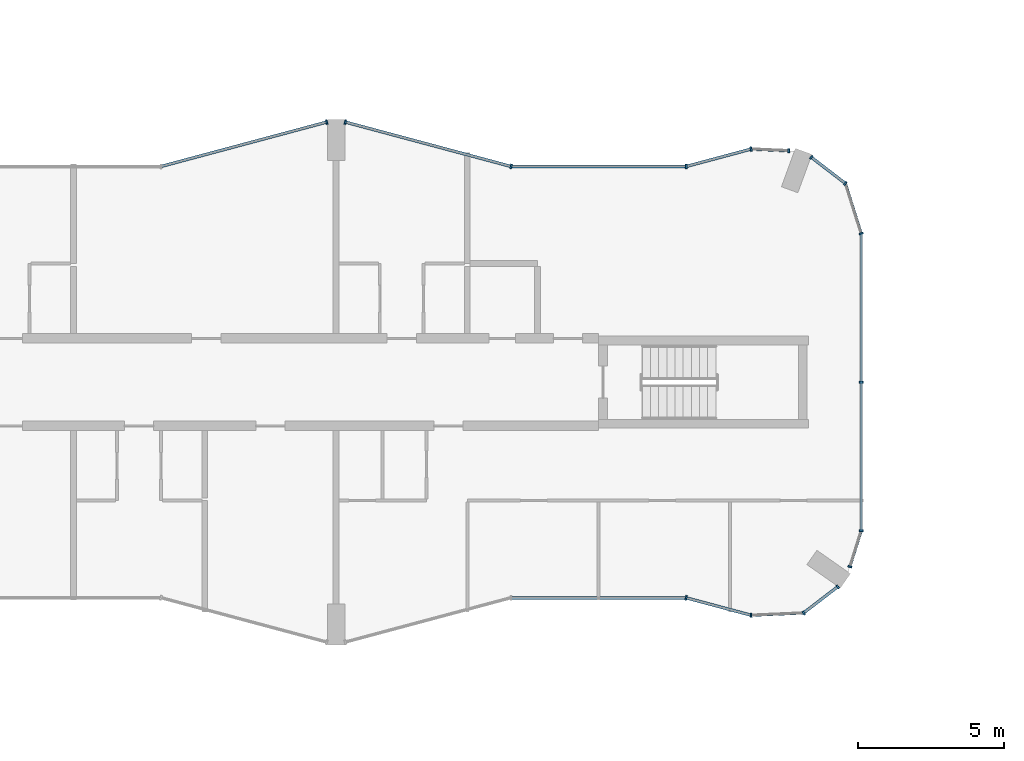
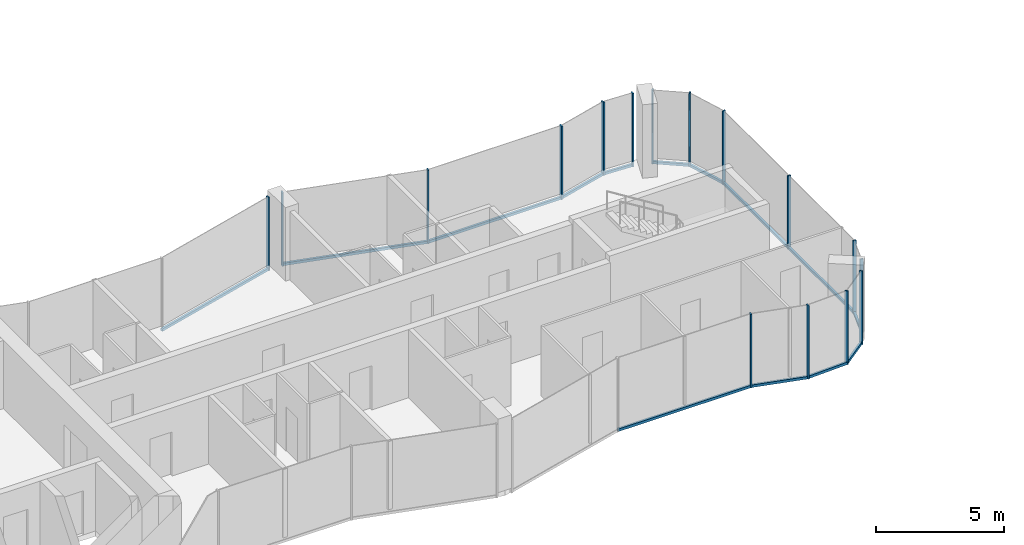
# One storey, part 5 of 22: 29 members, 13 elements without a shape of their own.
"""IFC4 building model written with IfcOpenShell, lengths in metres."""

from ifc_helpers import new_model, si_unit, direction, frame, origin, origin_2d, place, context, subcontext, project, spatial, rectangle, extrude, material, layer, layer_set, material_profile, profile_set, type_object, element, aggregate, save


model = new_model("IFC4")

# Units and contexts
model_context = context("Model", 3, precision=1e-05, world=origin(), true_north=direction((0.0, 1.0)))
body_context = subcontext(model_context, "Body", "Model", "MODEL_VIEW")
ifc_project = project(units=[si_unit("LENGTHUNIT", "METRE"), si_unit("AREAUNIT", "SQUARE_METRE"), si_unit("VOLUMEUNIT", "CUBIC_METRE"), si_unit("PLANEANGLEUNIT", "RADIAN"), si_unit("MASSUNIT", "GRAM", prefix="KILO")], contexts=[model_context])

# Site, building, storey
site_placement = place(None, origin())
site = spatial("IfcSite", under=ifc_project, at=site_placement, CompositionType="ELEMENT")
building_placement = place(site_placement, origin())
building = spatial("IfcBuilding", under=site, at=building_placement, Name="Plateau Cross Towers", CompositionType="ELEMENT")
storey_placement = place(building_placement, frame((0.0, 0.0, 116.800048828125)))
storey = spatial("IfcBuildingStorey", under=building, at=storey_placement, Name="L30", CompositionType="ELEMENT", Elevation=116.800048828125)

# Curtain wall, member
ifc_material_1 = material(Name="Dark low-iron glass", Category="glass")
ifc_layer_1 = layer(ifc_material_1, 0.239990234375)
ifc_layer_set_1 = layer_set([ifc_layer_1], Name="Dark low-iron glass")
curtain_wall_type_1 = type_object("IfcCurtainWallType", Name="Curtain wall flush unitised CW-B", PredefinedType="NOTDEFINED", material=ifc_layer_set_1)
curtain_wall_1_placement = place(storey_placement, origin())
curtain_wall_1 = element("IfcCurtainWall", 1, at=curtain_wall_1_placement, inside=storey, type_object=curtain_wall_type_1, Name="ENV/A/L30/A502_10", PredefinedType="NOTDEFINED")
ifc_material_2 = material(Name="Black anodised aluminium", Category="aluminium")
ifc_material_profile_1 = material_profile(ifc_material_2, rectangle(XDim=0.06005859375, YDim=0.139892578125, at=origin_2d()), Name="MULLION 60x140")
ifc_profile_set_1 = profile_set([ifc_material_profile_1], Name="Black anodised aluminium")
member_type_1 = type_object("IfcMemberType", Name="Mullion 60x140 flush unitised", PredefinedType="MULLION", material=ifc_profile_set_1)
member_1_placement = place(storey_placement, frame((50.223876953125, 1.01123046875, -0.25), z_axis=(0.0, 0.0, 1.0), x_axis=(0.999043701491, 0.043722791671, 0.0)))
member_1 = element("IfcMember", 2, at=member_1_placement, type_object=member_type_1, Name="CW-B mullion 1", PredefinedType="MULLION", context=body_context, shape_type="SweptSolid", body=[
    extrude(rectangle(XDim=0.06005859375, YDim=0.139892578125, at=origin_2d()), origin(), (0.0, 0.0, 1.0), 3.5),
])

# Curtain wall, members
curtain_wall_2_placement = place(storey_placement, origin())
curtain_wall_2 = element("IfcCurtainWall", 3, at=curtain_wall_2_placement, inside=storey, type_object=curtain_wall_type_1, Name="ENV/A/L30/A520_11", PredefinedType="NOTDEFINED")
member_2_placement = place(storey_placement, frame((52.0263671875, 1.090087890625, -0.25), z_axis=(0.0, 0.0, 1.0), x_axis=(0.793315514529, 0.608810721331, 0.0)))
member_2 = element("IfcMember", 4, at=member_2_placement, type_object=member_type_1, Name="CW-B mullion 1", PredefinedType="MULLION", context=body_context, shape_type="SweptSolid", body=[
    extrude(rectangle(XDim=0.06005859375, YDim=0.139892578125, at=origin_2d()), origin(), (0.0, 0.0, 1.0), 3.5),
])
member_3_placement = place(storey_placement, frame((53.193603515625, 1.986083984375, -0.25), z_axis=(0.0, 0.0, 1.0), x_axis=(0.793315514529, 0.608810721331, 0.0)))
member_3 = element("IfcMember", 5, at=member_3_placement, type_object=member_type_1, Name="CW-B mullion 2", PredefinedType="MULLION", context=body_context, shape_type="SweptSolid", body=[
    extrude(rectangle(XDim=0.06005859375, YDim=0.139892578125, at=origin_2d()), origin(), (0.0, 0.0, 1.0), 3.5),
])

# Curtain wall, member
curtain_wall_3_placement = place(storey_placement, origin())
curtain_wall_3 = element("IfcCurtainWall", 6, at=curtain_wall_3_placement, inside=storey, type_object=curtain_wall_type_1, Name="ENV/A/L30/A536_27", PredefinedType="NOTDEFINED")
member_4_placement = place(storey_placement, frame((53.611083984375, 2.67529296875, -0.25), z_axis=(0.0, 0.0, 1.0), x_axis=(0.300686174994, 0.95372313811, 0.0)))
member_4 = element("IfcMember", 7, at=member_4_placement, type_object=member_type_1, Name="CW-B mullion 1", PredefinedType="MULLION", context=body_context, shape_type="SweptSolid", body=[
    extrude(rectangle(XDim=0.06005859375, YDim=0.139892578125, at=origin_2d()), origin(), (0.0, 0.0, 1.0), 3.5),
])

# Curtain wall, members
curtain_wall_4_placement = place(storey_placement, origin())
curtain_wall_4 = element("IfcCurtainWall", 8, at=curtain_wall_4_placement, inside=storey, type_object=curtain_wall_type_1, Name="ENV/A/L30/A540_39", PredefinedType="NOTDEFINED")
member_5_placement = place(storey_placement, frame((54.0, 3.9091796875, -0.25), z_axis=(0.0, 0.0, 1.0), x_axis=(0.0, 1.0, 0.0)))
member_5 = element("IfcMember", 9, at=member_5_placement, type_object=member_type_1, Name="CW-B mullion 1", PredefinedType="MULLION", context=body_context, shape_type="SweptSolid", body=[
    extrude(rectangle(XDim=0.06005859375, YDim=0.139892578125, at=origin_2d()), origin(), (0.0, 0.0, 1.0), 3.5),
])
member_6_placement = place(storey_placement, frame((54.0, 9.0, -0.25), z_axis=(0.0, 0.0, 1.0), x_axis=(0.0, 1.0, 0.0)))
member_6 = element("IfcMember", 10, at=member_6_placement, type_object=member_type_1, Name="CW-B mullion 2", PredefinedType="MULLION", context=body_context, shape_type="SweptSolid", body=[
    extrude(rectangle(XDim=0.06005859375, YDim=0.139892578125, at=origin_2d()), origin(), (0.0, 0.0, 1.0), 3.5),
])

# Curtain wall, member
curtain_wall_5_placement = place(storey_placement, origin())
curtain_wall_5 = element("IfcCurtainWall", 11, at=curtain_wall_5_placement, inside=storey, type_object=curtain_wall_type_1, Name="ENV/A/L30/A540_141", PredefinedType="NOTDEFINED")
member_7_placement = place(storey_placement, frame((54.0, 14.0908203125, -0.25), z_axis=(0.0, 0.0, 1.0), x_axis=(-0.300686174994, 0.95372313811, 0.0)))
member_7 = element("IfcMember", 12, at=member_7_placement, type_object=member_type_1, Name="CW-B mullion 1", PredefinedType="MULLION", context=body_context, shape_type="SweptSolid", body=[
    extrude(rectangle(XDim=0.06005859375, YDim=0.139892578125, at=origin_2d()), origin(), (0.0, 0.0, 1.0), 3.5),
])

# Curtain wall, members
curtain_wall_6_placement = place(storey_placement, origin())
curtain_wall_6 = element("IfcCurtainWall", 13, at=curtain_wall_6_placement, inside=storey, type_object=curtain_wall_type_1, Name="ENV/A/L30/A535_158", PredefinedType="NOTDEFINED")
member_8_placement = place(storey_placement, frame((53.45751953125, 15.8115234375, -0.25), z_axis=(0.0, 0.0, 1.0), x_axis=(-0.793315514529, 0.608810721331, 0.0)))
member_8 = element("IfcMember", 14, at=member_8_placement, type_object=member_type_1, Name="CW-B mullion 1", PredefinedType="MULLION", context=body_context, shape_type="SweptSolid", body=[
    extrude(rectangle(XDim=0.06005859375, YDim=0.139892578125, at=origin_2d()), origin(), (0.0, 0.0, 1.0), 3.5),
])
member_9_placement = place(storey_placement, frame((52.290283203125, 16.707275390625, -0.25), z_axis=(0.0, 0.0, 1.0), x_axis=(-0.793315514529, 0.608810721331, 0.0)))
member_9 = element("IfcMember", 15, at=member_9_placement, type_object=member_type_1, Name="CW-B mullion 2", PredefinedType="MULLION", context=body_context, shape_type="SweptSolid", body=[
    extrude(rectangle(XDim=0.06005859375, YDim=0.139892578125, at=origin_2d()), origin(), (0.0, 0.0, 1.0), 3.5),
])

# Curtain wall, member
curtain_wall_7_placement = place(storey_placement, origin())
curtain_wall_7 = element("IfcCurtainWall", 16, at=curtain_wall_7_placement, inside=storey, type_object=curtain_wall_type_1, Name="ENV/A/L30/A515_169", PredefinedType="NOTDEFINED")
member_10_placement = place(storey_placement, frame((51.516357421875, 16.93212890625, -0.25), z_axis=(0.0, 0.0, 1.0), x_axis=(-0.999043701491, 0.043722791671, 0.0)))
member_10 = element("IfcMember", 17, at=member_10_placement, type_object=member_type_1, Name="CW-B mullion 1", PredefinedType="MULLION", context=body_context, shape_type="SweptSolid", body=[
    extrude(rectangle(XDim=0.06005859375, YDim=0.139892578125, at=origin_2d()), origin(), (0.0, 0.0, 1.0), 3.5),
])

ifc_layer_2 = layer(ifc_material_1, 0.260009765625)
ifc_layer_set_2 = layer_set([ifc_layer_2], Name="Dark low-iron glass")
curtain_wall_type_2 = type_object("IfcCurtainWallType", Name="Curtain wall fluted unitised CW-A", PredefinedType="NOTDEFINED", material=ifc_layer_set_2)
curtain_wall_8_placement = place(storey_placement, origin())
curtain_wall_8 = element("IfcCurtainWall", 18, at=curtain_wall_8_placement, inside=storey, type_object=curtain_wall_type_2, Name="ENV/A/L30/A480_16", PredefinedType="NOTDEFINED")
ifc_material_profile_2 = material_profile(ifc_material_2, rectangle(XDim=0.06005859375, YDim=0.159912109375, at=origin_2d()), Name="MULLION 60x160")
ifc_profile_set_2 = profile_set([ifc_material_profile_2], Name="Black anodised aluminium")
member_type_2 = type_object("IfcMemberType", Name="Mullion 60x160 fluted unitised", PredefinedType="MULLION", material=ifc_profile_set_2)
member_11_placement = place(storey_placement, frame((48.0, 1.60693359375, -0.25), z_axis=(0.0, 0.0, 1.0), x_axis=(0.965957962328, -0.258699081978, 0.0)))
member_11 = element("IfcMember", 19, at=member_11_placement, type_object=member_type_2, Name="CW-A mullion 1", PredefinedType="MULLION", context=body_context, shape_type="SweptSolid", body=[
    extrude(rectangle(XDim=0.06005859375, YDim=0.159912109375, at=origin_2d()), origin(), (0.0, 0.0, 1.0), 3.5),
])

curtain_wall_9_placement = place(storey_placement, origin())
curtain_wall_9 = element("IfcCurtainWall", 20, at=curtain_wall_9_placement, inside=storey, type_object=curtain_wall_type_2, Name="ENV/A/L30/A502_170", PredefinedType="NOTDEFINED")
member_12_placement = place(storey_placement, frame((50.223876953125, 16.98876953125, -0.25), z_axis=(0.0, 0.0, 1.0), x_axis=(-0.965957962328, -0.258699081978, 0.0)))
member_12 = element("IfcMember", 21, at=member_12_placement, type_object=member_type_2, Name="CW-A mullion 1", PredefinedType="MULLION", context=body_context, shape_type="SweptSolid", body=[
    extrude(rectangle(XDim=0.06005859375, YDim=0.159912109375, at=origin_2d()), origin(), (0.0, 0.0, 1.0), 3.5),
])

curtain_wall_10_placement = place(storey_placement, origin())
curtain_wall_10 = element("IfcCurtainWall", 22, at=curtain_wall_10_placement, inside=storey, type_object=curtain_wall_type_2, Name="ENV/A/L30/A480_164", PredefinedType="NOTDEFINED")
member_13_placement = place(storey_placement, frame((48.0, 16.39306640625, -0.25), z_axis=(0.0, 0.0, 1.0), x_axis=(-1.0, 0.0, 0.0)))
member_13 = element("IfcMember", 23, at=member_13_placement, type_object=member_type_2, Name="CW-A mullion 1", PredefinedType="MULLION", context=body_context, shape_type="SweptSolid", body=[
    extrude(rectangle(XDim=0.06005859375, YDim=0.159912109375, at=origin_2d()), origin(), (0.0, 0.0, 1.0), 3.5),
])

# Curtain wall, members
curtain_wall_11_placement = place(storey_placement, origin())
curtain_wall_11 = element("IfcCurtainWall", 24, at=curtain_wall_11_placement, inside=storey, type_object=curtain_wall_type_2, Name="ENV/A/L30/A420_164", PredefinedType="NOTDEFINED")
member_14_placement = place(storey_placement, frame((42.0, 16.39306640625, -0.25), z_axis=(0.0, 0.0, 1.0), x_axis=(-0.965957983404, 0.258699003279, 0.0)))
member_14 = element("IfcMember", 25, at=member_14_placement, type_object=member_type_2, Name="CW-A mullion 1", PredefinedType="MULLION", context=body_context, shape_type="SweptSolid", body=[
    extrude(rectangle(XDim=0.06005859375, YDim=0.159912109375, at=origin_2d()), origin(), (0.0, 0.0, 1.0), 3.5),
])
member_15_placement = place(storey_placement, frame((36.31787109375, 17.914794921875, -0.25), z_axis=(0.0, 0.0, 1.0), x_axis=(-0.965957983404, 0.258699003279, 0.0)))
member_15 = element("IfcMember", 26, at=member_15_placement, type_object=member_type_2, Name="CW-A mullion 2", PredefinedType="MULLION", context=body_context, shape_type="SweptSolid", body=[
    extrude(rectangle(XDim=0.06005859375, YDim=0.159912109375, at=origin_2d()), origin(), (0.0, 0.0, 1.0), 3.5),
])

# Curtain wall, member
curtain_wall_12_placement = place(storey_placement, origin())
curtain_wall_12 = element("IfcCurtainWall", 27, at=curtain_wall_12_placement, inside=storey, type_object=curtain_wall_type_2, Name="ENV/A/L30/A357_179", PredefinedType="NOTDEFINED")
member_16_placement = place(storey_placement, frame((35.68212890625, 17.914794921875, -0.25), z_axis=(0.0, 0.0, 1.0), x_axis=(-0.965957983404, -0.258699003279, 0.0)))
member_16 = element("IfcMember", 28, at=member_16_placement, type_object=member_type_2, Name="CW-A mullion 1", PredefinedType="MULLION", context=body_context, shape_type="SweptSolid", body=[
    extrude(rectangle(XDim=0.06005859375, YDim=0.159912109375, at=origin_2d()), origin(), (0.0, 0.0, 1.0), 3.5),
])

# Member
ifc_material_profile_3 = material_profile(ifc_material_2, rectangle(XDim=0.10009765625, YDim=0.1201171875, at=origin_2d()), Name="TRANSOM 100x120")
ifc_profile_set_3 = profile_set([ifc_material_profile_3], Name="Black anodised aluminium")
member_type_3 = type_object("IfcMemberType", Name="Transom 100x120 flush unitised", PredefinedType="USERDEFINED", material=ifc_profile_set_3)
member_17_placement = place(storey_placement, frame((50.223876953125, 1.01123046875, -0.18994140625), z_axis=(0.999044377355, 0.043707345779, 0.0), x_axis=(-0.043707345779, 0.999044377355, 0.0)))
member_17 = element("IfcMember", 29, at=member_17_placement, type_object=member_type_3, Name="CW-B transom", ObjectType="TRANSOM", PredefinedType="USERDEFINED", context=body_context, shape_type="SweptSolid", body=[
    extrude(rectangle(XDim=0.10009765625, YDim=0.1201171875, at=origin_2d()), origin(), (0.0, 0.0, 1.0), 1.80419921875),
])

aggregate(curtain_wall_1, [member_1, member_17])

member_18_placement = place(storey_placement, frame((52.0263671875, 1.090087890625, -0.18994140625), z_axis=(0.793240368515, 0.608908628415, 0.0), x_axis=(-0.608908628415, 0.793240368515, 0.0)))
member_18 = element("IfcMember", 30, at=member_18_placement, type_object=member_type_3, Name="CW-B transom", ObjectType="TRANSOM", PredefinedType="USERDEFINED", context=body_context, shape_type="SweptSolid", body=[
    extrude(rectangle(XDim=0.10009765625, YDim=0.1201171875, at=origin_2d()), origin(), (0.0, 0.0, 1.0), 1.471435546875),
])

aggregate(curtain_wall_2, [member_2, member_3, member_18])

member_19_placement = place(storey_placement, frame((53.611083984375, 2.67529296875, -0.18994140625), z_axis=(0.300616528216, 0.953745093284, 0.0), x_axis=(-0.953745093284, 0.300616528216, 0.0)))
member_19 = element("IfcMember", 31, at=member_19_placement, type_object=member_type_3, Name="CW-B transom", ObjectType="TRANSOM", PredefinedType="USERDEFINED", context=body_context, shape_type="SweptSolid", body=[
    extrude(rectangle(XDim=0.10009765625, YDim=0.1201171875, at=origin_2d()), origin(), (0.0, 0.0, 1.0), 1.293701171875),
])

aggregate(curtain_wall_3, [member_4, member_19])

member_20_placement = place(storey_placement, frame((54.0, 3.9091796875, -0.18994140625), z_axis=(0.0, 1.0, 0.0), x_axis=(-1.0, 0.0, 0.0)))
member_20 = element("IfcMember", 32, at=member_20_placement, type_object=member_type_3, Name="CW-B transom", ObjectType="TRANSOM", PredefinedType="USERDEFINED", context=body_context, shape_type="SweptSolid", body=[
    extrude(rectangle(XDim=0.10009765625, YDim=0.1201171875, at=origin_2d()), origin(), (0.0, 0.0, 1.0), 10.181640625),
])

aggregate(curtain_wall_4, [member_5, member_6, member_20])

member_21_placement = place(storey_placement, frame((54.0, 14.0908203125, -0.18994140625), z_axis=(-0.30067799945, 0.953725715626, 0.0), x_axis=(-0.953725715626, -0.30067799945, 0.0)))
member_21 = element("IfcMember", 33, at=member_21_placement, type_object=member_type_3, Name="CW-B transom", ObjectType="TRANSOM", PredefinedType="USERDEFINED", context=body_context, shape_type="SweptSolid", body=[
    extrude(rectangle(XDim=0.10009765625, YDim=0.1201171875, at=origin_2d()), origin(), (0.0, 0.0, 1.0), 1.80419921875),
])

aggregate(curtain_wall_5, [member_7, member_21])

member_22_placement = place(storey_placement, frame((53.45751953125, 15.8115234375, -0.18994140625), z_axis=(-0.793320508571, 0.608804213751, 0.0), x_axis=(-0.608804213751, -0.793320508571, 0.0)))
member_22 = element("IfcMember", 34, at=member_22_placement, type_object=member_type_3, Name="CW-B transom", ObjectType="TRANSOM", PredefinedType="USERDEFINED", context=body_context, shape_type="SweptSolid", body=[
    extrude(rectangle(XDim=0.10009765625, YDim=0.1201171875, at=origin_2d()), origin(), (0.0, 0.0, 1.0), 1.471435546875),
])

aggregate(curtain_wall_6, [member_8, member_9, member_22])

member_23_placement = place(storey_placement, frame((51.516357421875, 16.93212890625, -0.18994140625), z_axis=(-0.999041144614, 0.043781175963, 0.0), x_axis=(-0.043781175963, -0.999041144614, 0.0)))
member_23 = element("IfcMember", 35, at=member_23_placement, type_object=member_type_3, Name="CW-B transom", ObjectType="TRANSOM", PredefinedType="USERDEFINED", context=body_context, shape_type="SweptSolid", body=[
    extrude(rectangle(XDim=0.10009765625, YDim=0.1201171875, at=origin_2d()), origin(), (0.0, 0.0, 1.0), 1.293701171875),
])

aggregate(curtain_wall_7, [member_10, member_23])

# Curtain wall, member
curtain_wall_13_placement = place(storey_placement, origin())
curtain_wall_13 = element("IfcCurtainWall", 36, at=curtain_wall_13_placement, inside=storey, type_object=curtain_wall_type_2, Name="ENV/A/L30/A420_16", PredefinedType="NOTDEFINED")
ifc_material_profile_4 = material_profile(ifc_material_2, rectangle(XDim=0.10009765625, YDim=0.1201171875, at=origin_2d()), Name="TRANSOM 100x120")
ifc_profile_set_4 = profile_set([ifc_material_profile_4], Name="Black anodised aluminium")
member_type_4 = type_object("IfcMemberType", Name="Transom 100x120 fluted unitised", PredefinedType="USERDEFINED", material=ifc_profile_set_4)
member_24_placement = place(storey_placement, frame((42.0, 1.60693359375, -0.18994140625), z_axis=(1.0, 0.0, 0.0), x_axis=(0.0, 1.0, 0.0)))
member_24 = element("IfcMember", 37, at=member_24_placement, type_object=member_type_4, Name="CW-A transom", ObjectType="TRANSOM", PredefinedType="USERDEFINED", context=body_context, shape_type="SweptSolid", body=[
    extrude(rectangle(XDim=0.10009765625, YDim=0.1201171875, at=origin_2d()), origin(), (0.0, 0.0, 1.0), 6.0),
])
aggregate(curtain_wall_13, [member_24])

# Member
member_25_placement = place(storey_placement, frame((48.0, 1.60693359375, -0.18994140625), z_axis=(0.965945685136, -0.258744919501, 0.0), x_axis=(0.258744919501, 0.965945685136, 0.0)))
member_25 = element("IfcMember", 38, at=member_25_placement, type_object=member_type_4, Name="CW-A transom", ObjectType="TRANSOM", PredefinedType="USERDEFINED", context=body_context, shape_type="SweptSolid", body=[
    extrude(rectangle(XDim=0.10009765625, YDim=0.1201171875, at=origin_2d()), origin(), (0.0, 0.0, 1.0), 2.30224609375),
])

aggregate(curtain_wall_8, [member_11, member_25])

member_26_placement = place(storey_placement, frame((50.223876953125, 16.98876953125, -0.18994140625), z_axis=(-0.965945685136, -0.258744919501, 0.0), x_axis=(0.258744919501, -0.965945685136, 0.0)))
member_26 = element("IfcMember", 39, at=member_26_placement, type_object=member_type_4, Name="CW-A transom", ObjectType="TRANSOM", PredefinedType="USERDEFINED", context=body_context, shape_type="SweptSolid", body=[
    extrude(rectangle(XDim=0.10009765625, YDim=0.1201171875, at=origin_2d()), origin(), (0.0, 0.0, 1.0), 2.30224609375),
])

aggregate(curtain_wall_9, [member_12, member_26])

member_27_placement = place(storey_placement, frame((48.0, 16.39306640625, -0.18994140625), z_axis=(-1.0, 0.0, 0.0), x_axis=(0.0, -1.0, 0.0)))
member_27 = element("IfcMember", 40, at=member_27_placement, type_object=member_type_4, Name="CW-A transom", ObjectType="TRANSOM", PredefinedType="USERDEFINED", context=body_context, shape_type="SweptSolid", body=[
    extrude(rectangle(XDim=0.10009765625, YDim=0.1201171875, at=origin_2d()), origin(), (0.0, 0.0, 1.0), 6.0),
])

aggregate(curtain_wall_10, [member_13, member_27])

member_28_placement = place(storey_placement, frame((42.0, 16.39306640625, -0.18994140625), z_axis=(-0.965959534794, 0.258693210465, 0.0), x_axis=(-0.258693210465, -0.965959534794, 0.0)))
member_28 = element("IfcMember", 41, at=member_28_placement, type_object=member_type_4, Name="CW-A transom", ObjectType="TRANSOM", PredefinedType="USERDEFINED", context=body_context, shape_type="SweptSolid", body=[
    extrude(rectangle(XDim=0.10009765625, YDim=0.1201171875, at=origin_2d()), origin(), (0.0, 0.0, 1.0), 5.88232421875),
])

aggregate(curtain_wall_11, [member_14, member_15, member_28])

member_29_placement = place(storey_placement, frame((35.68212890625, 17.914794921875, -0.18994140625), z_axis=(-0.965959534794, -0.258693210465, 0.0), x_axis=(0.258693210465, -0.965959534794, 0.0)))
member_29 = element("IfcMember", 42, at=member_29_placement, type_object=member_type_4, Name="CW-A transom", ObjectType="TRANSOM", PredefinedType="USERDEFINED", context=body_context, shape_type="SweptSolid", body=[
    extrude(rectangle(XDim=0.10009765625, YDim=0.1201171875, at=origin_2d()), origin(), (0.0, 0.0, 1.0), 5.88232421875),
])

aggregate(curtain_wall_12, [member_16, member_29])

save(model, "model.ifc")
